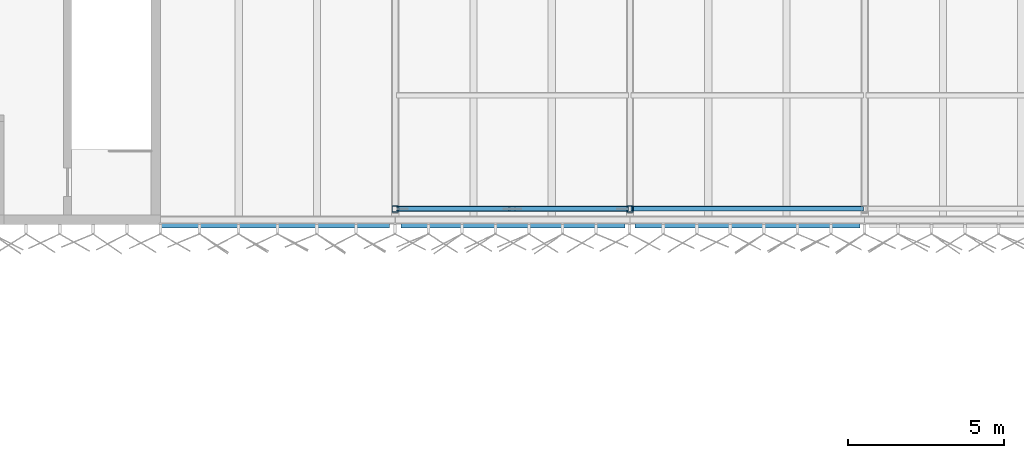
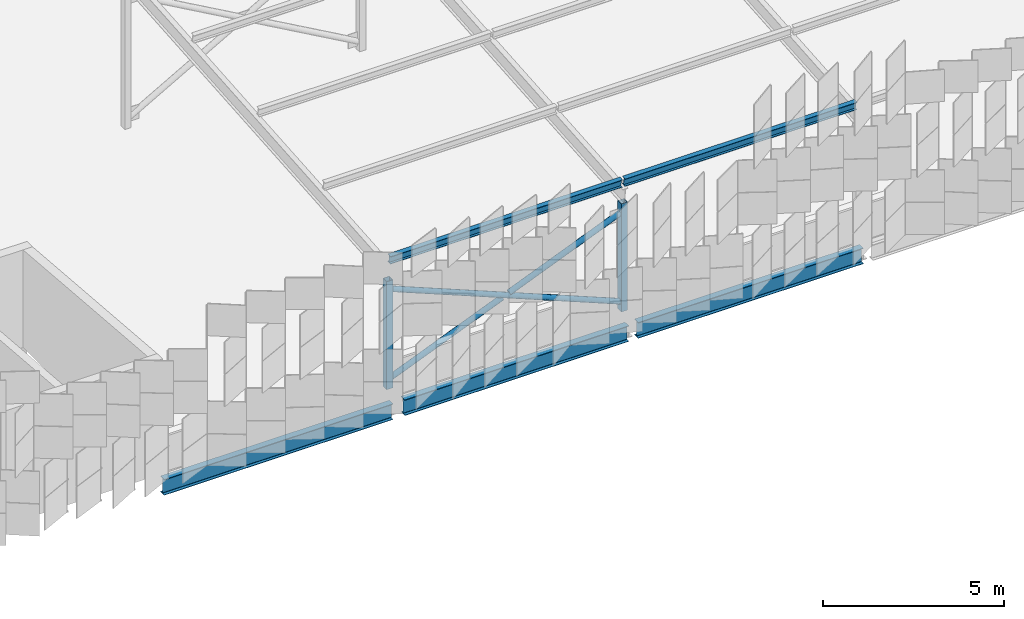
# One storey, part 45 of 483: 7 members, 3 beams.
"""IFC4 building model written with IfcOpenShell, lengths in metres."""

from ifc_helpers import new_model, si_unit, direction, frame, origin, origin_2d, place, context, subcontext, project, spatial, hollow_rectangle, hollow_circle, i_section, extrude, material, material_profile, profile_set, type_object, element, save


model = new_model("IFC4")

# Units and contexts
model_context = context("Model", 3, precision=1e-05, world=origin(), true_north=direction((0.0, 1.0)))
body_context = subcontext(model_context, "Body", "Model", "MODEL_VIEW")
ifc_project = project(units=[si_unit("LENGTHUNIT", "METRE"), si_unit("AREAUNIT", "SQUARE_METRE"), si_unit("VOLUMEUNIT", "CUBIC_METRE"), si_unit("PLANEANGLEUNIT", "RADIAN"), si_unit("MASSUNIT", "GRAM", prefix="KILO")], contexts=[model_context])

# Site, building, storey
site_placement = place(None, origin())
site = spatial("IfcSite", under=ifc_project, at=site_placement, CompositionType="ELEMENT")
building_placement = place(site_placement, origin())
building = spatial("IfcBuilding", under=site, at=building_placement, Name="Parallax Yard Mobility Hub", CompositionType="ELEMENT")
storey_placement = place(building_placement, frame((0.0, 0.0, 13.199951171875)))
storey = spatial("IfcBuildingStorey", under=building, at=storey_placement, Name="L04", CompositionType="ELEMENT", Elevation=13.199951171875)

# Members
ifc_material_1 = material(Name="Steel ASTM A500 Gr C", Category="steel")
ifc_material_profile_1 = material_profile(ifc_material_1, hollow_circle(Radius=0.0888671875, WallThickness=0.0078125, at=origin_2d()), Name="HSS177.8x7.9")
ifc_profile_set_1 = profile_set([ifc_material_profile_1], Name="Steel ASTM A500 Gr C")
member_type_1 = type_object("IfcMemberType", Name="Canopy brace HSS177.8x7.9", PredefinedType="BRACE", material=ifc_profile_set_1)
member_placement = place(storey_placement, frame((97.413330078125, 113.0, 0.300048828125), z_axis=(-0.925869010623, 0.0, 0.377844644222), x_axis=(0.0, -1.0, 0.0)))
element("IfcMember", 1, at=member_placement, inside=storey, type_object=member_type_1, Name="Canopy X brace RA bay N-B bay 1 diagonal B", PredefinedType="BRACE", context=body_context, shape_type="SweptSolid", body=[
    extrude(hollow_circle(Radius=0.0888671875, WallThickness=0.0078125, at=origin_2d()), origin(), (0.0, 0.0, 1.0), 7.913330078125),
])
for number, where, z_axis, x_axis, name in (
    (2, (90.086669921875, 113.0, 0.300048828125), (0.925875790589, 0.0, 0.377828030196), (0.0, 1.0, 0.0), "Canopy X brace RA bay N-B bay 1 diagonal A part 1"),
    (3, (93.8583984375, 113.0, 1.83935546875), (0.925875790589, 0.0, 0.377828030196), (0.0, 1.0, 0.0), "Canopy X brace RA bay N-B bay 1 diagonal A part 2"),
):
    element("IfcMember", number, at=place(storey_placement, frame(where, z_axis=z_axis, x_axis=x_axis)), inside=storey, type_object=member_type_1, Name=name, PredefinedType="BRACE", context=body_context, shape_type="SweptSolid", body=[
        extrude(hollow_circle(Radius=0.0888671875, WallThickness=0.0078125, at=origin_2d()), origin(), (0.0, 0.0, 1.0), 3.839599609375),
    ])
ifc_material_profile_2 = material_profile(ifc_material_1, hollow_rectangle(XDim=0.203125, YDim=0.203125, WallThickness=0.009521484375, at=origin_2d()), Name="HSS203x203x9.5")
ifc_profile_set_2 = profile_set([ifc_material_profile_2], Name="Steel ASTM A500 Gr C")
member_type_2 = type_object("IfcMemberType", Name="Canopy post HSS203x203x9.5", PredefinedType="POST", material=ifc_profile_set_2)
for number, where, z_axis, x_axis, name in (
    (4, (90.0, 113.0, 0.0), (0.0, 0.0, 1.0), (1.0, 0.0, 0.0), "Canopy post RA/N-B1"),
    (5, (97.5, 113.0, 0.0), (0.0, 0.0, 1.0), (1.0, 0.0, 0.0), "Canopy post RA/N-B2"),
):
    element("IfcMember", number, at=place(storey_placement, frame(where, z_axis=z_axis, x_axis=x_axis)), inside=storey, type_object=member_type_2, Name=name, PredefinedType="POST", context=body_context, shape_type="SweptSolid", body=[
        extrude(hollow_rectangle(XDim=0.203125, YDim=0.203125, WallThickness=0.009521484375, at=origin_2d()), origin(), (0.0, 0.0, 1.0), 3.650146484375),
    ])
ifc_material_2 = material(Name="Steel ASTM A992", Category="steel")
ifc_material_profile_3 = material_profile(ifc_material_2, i_section(OverallWidth=0.14794921875, OverallDepth=0.26611328125, WebThickness=0.007568359375, FlangeThickness=0.012939453125, at=origin_2d()), Name="W250x45")
ifc_profile_set_3 = profile_set([ifc_material_profile_3], Name="Steel ASTM A992")
member_type_3 = type_object("IfcMemberType", Name="Canopy purlin W250x45", PredefinedType="PURLIN", material=ifc_profile_set_3)
for number, where, z_axis, x_axis, name in (
    (6, (90.0400390625, 113.010498046875, 4.302001953125), (1.0, 0.0, 0.0), (0.0, 0.996815308126, 0.079744852409), "Canopy purlin sector N-B bay 1 line 1"),
    (7, (97.5400390625, 113.010498046875, 4.302001953125), (1.0, 0.0, 0.0), (0.0, 0.996815308126, 0.079744852409), "Canopy purlin sector N-B bay 2 line 1"),
):
    element("IfcMember", number, at=place(storey_placement, frame(where, z_axis=z_axis, x_axis=x_axis)), inside=storey, type_object=member_type_3, Name=name, PredefinedType="PURLIN", context=body_context, shape_type="SweptSolid", body=[
        extrude(i_section(OverallWidth=0.14794921875, OverallDepth=0.26611328125, WebThickness=0.007568359375, FlangeThickness=0.012939453125, at=origin_2d()), origin(), (0.0, 0.0, 1.0), 7.419921875),
    ])

# Beams
ifc_material_profile_4 = material_profile(ifc_material_2, i_section(OverallWidth=0.208984375, OverallDepth=0.532958984375, WebThickness=0.01025390625, FlangeThickness=0.015625, FilletRadius=0.0126953125, at=origin_2d()), Name="W530x92")
ifc_profile_set_4 = profile_set([ifc_material_profile_4], Name="Steel ASTM A992")
beam_type = type_object("IfcBeamType", Name="W530x92 edge beam", PredefinedType="SPANDREL", material=ifc_profile_set_4)
beam_1_placement = place(storey_placement, frame((82.5, 112.5, -0.406494140625), z_axis=(1.0, 0.0, 0.0), x_axis=(0.0, 1.0, 0.0)))
element("IfcBeam", 8, at=beam_1_placement, inside=storey, type_object=beam_type, Name="Edge beam SB5 level L04, line R of ramped parking decks, span 6", PredefinedType="SPANDREL", context=body_context, shape_type="SweptSolid", body=[
    extrude(i_section(OverallWidth=0.208984375, OverallDepth=0.532958984375, WebThickness=0.01025390625, FlangeThickness=0.015625, FilletRadius=0.0126953125, at=origin_2d()), origin(), (0.0, 0.0, 1.0), 7.3134765625),
])
beam_2_placement = place(storey_placement, frame((90.1865234375, 112.5, -0.406494140625), z_axis=(1.0, 0.0, 0.0), x_axis=(0.0, 1.0, 0.0)))
element("IfcBeam", 9, at=beam_2_placement, inside=storey, type_object=beam_type, Name="Edge beam SB5 level L04, line R of ramped parking decks, span 7", PredefinedType="SPANDREL", context=body_context, shape_type="SweptSolid", body=[
    extrude(i_section(OverallWidth=0.208984375, OverallDepth=0.532958984375, WebThickness=0.01025390625, FlangeThickness=0.015625, FilletRadius=0.0126953125, at=origin_2d()), origin(), (0.0, 0.0, 1.0), 7.160888671875),
])
beam_3_placement = place(storey_placement, frame((97.652587890625, 112.5, -0.406494140625), z_axis=(1.0, 0.0, 0.0), x_axis=(0.0, 1.0, 0.0)))
element("IfcBeam", 10, at=beam_3_placement, inside=storey, type_object=beam_type, Name="Edge beam SB5 level L04, line R of ramped parking decks, span 8", PredefinedType="SPANDREL", context=body_context, shape_type="SweptSolid", body=[
    extrude(i_section(OverallWidth=0.208984375, OverallDepth=0.532958984375, WebThickness=0.01025390625, FlangeThickness=0.015625, FilletRadius=0.0126953125, at=origin_2d()), origin(), (0.0, 0.0, 1.0), 7.19482421875),
])

save(model, "model.ifc")
